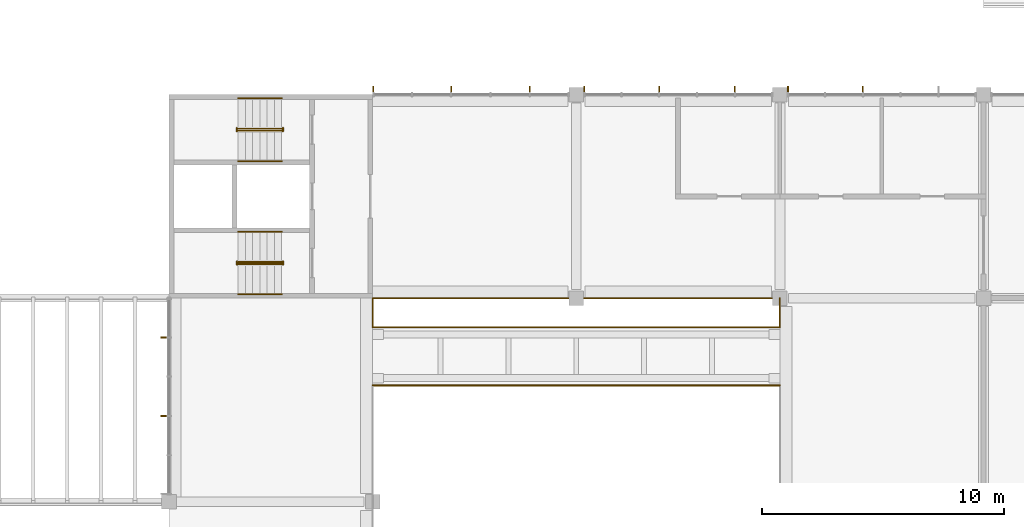
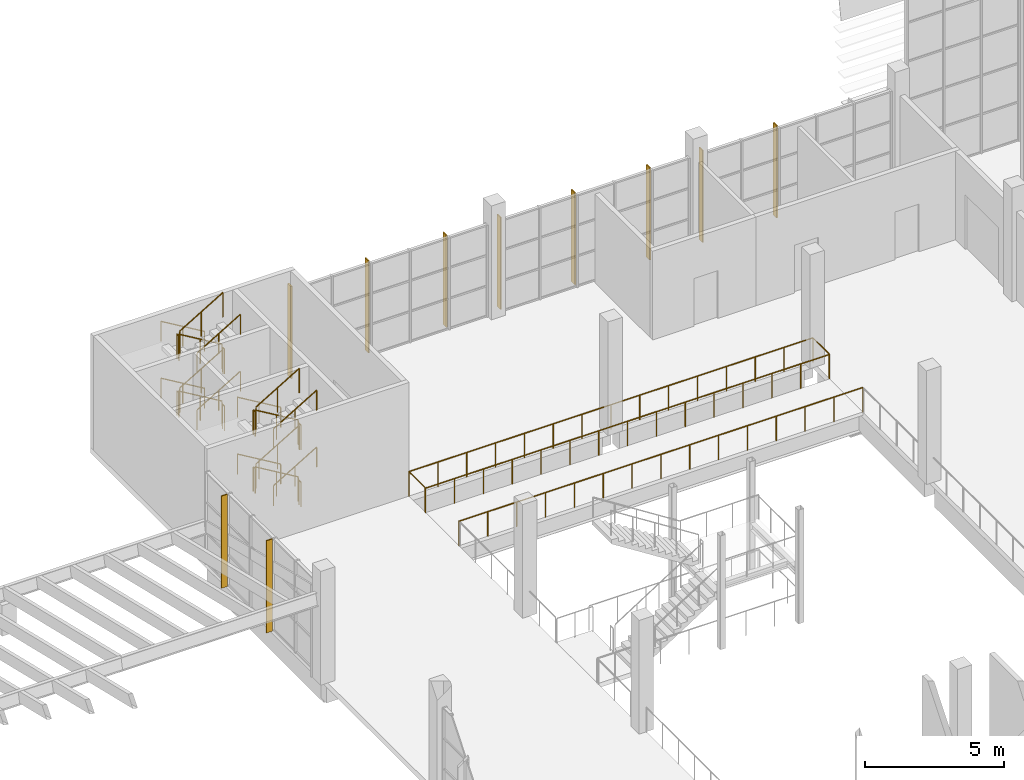
# One storey, part 55 of 59: 29 railings, 10 shading devices.
"""IFC4 building model written with IfcOpenShell, lengths in metres."""

from ifc_helpers import new_model, si_unit, direction, frame, origin, origin_2d, place, context, subcontext, project, spatial, rectangle, circle, extrude, material, material_profile, profile_set, type_object, element, save


model = new_model("IFC4")

# Units and contexts
model_context = context("Model", 3, precision=1e-05, world=origin(), true_north=direction((0.0, 1.0)))
body_context = subcontext(model_context, "Body", "Model", "MODEL_VIEW")
ifc_project = project(units=[si_unit("LENGTHUNIT", "METRE"), si_unit("AREAUNIT", "SQUARE_METRE"), si_unit("VOLUMEUNIT", "CUBIC_METRE"), si_unit("PLANEANGLEUNIT", "RADIAN"), si_unit("MASSUNIT", "GRAM", prefix="KILO")], contexts=[model_context])

# Site, building, storey
site_placement = place(None, origin())
site = spatial("IfcSite", under=ifc_project, at=site_placement, CompositionType="ELEMENT")
building_placement = place(site_placement, origin())
building = spatial("IfcBuilding", under=site, at=building_placement, Name="Almond Square Museum", CompositionType="ELEMENT")
storey_placement = place(building_placement, frame((0.0, 0.0, 25.0)))
storey = spatial("IfcBuildingStorey", under=building, at=storey_placement, Name="L04", CompositionType="ELEMENT", Elevation=25.0)

# Railings
ifc_material_1 = material(Name="Laminated glass and stainless steel", Category="steel")
railing_type_1 = type_object("IfcRailingType", Name="Atrium bridge guard 1100", PredefinedType="GUARDRAIL", material=ifc_material_1)
railing_1_placement = place(storey_placement, frame((81.60009765625, 97.199951171875, 0.0)))
element("IfcRailing", 1, at=railing_1_placement, inside=storey, type_object=railing_type_1, Name="BR-L04-1 bridge guard south", PredefinedType="GUARDRAIL", context=body_context, shape_type="SweptSolid", body=[
    extrude(circle(Radius=0.02392578125, at=origin_2d()), frame((0.0, 0.0, 1.076171875), z_axis=(1.0, 0.0, 0.0), x_axis=(0.0, 1.0, 0.0)), (0.0, 0.0, 1.0), 16.7998046875),
    extrude(circle(Radius=0.02099609375, at=origin_2d()), origin(), (0.0, 0.0, 1.0), 1.052001953125),
    extrude(circle(Radius=0.02099609375, at=origin_2d()), frame((1.199951171875, 0.0, 0.0)), (0.0, 0.0, 1.0), 1.052001953125),
    extrude(circle(Radius=0.02099609375, at=origin_2d()), frame((2.39990234375, 0.0, 0.0)), (0.0, 0.0, 1.0), 1.052001953125),
    extrude(circle(Radius=0.02099609375, at=origin_2d()), frame((3.599853515625, 0.0, 0.0)), (0.0, 0.0, 1.0), 1.052001953125),
    extrude(circle(Radius=0.02099609375, at=origin_2d()), frame((4.800048828125, 0.0, 0.0)), (0.0, 0.0, 1.0), 1.052001953125),
    extrude(circle(Radius=0.02099609375, at=origin_2d()), frame((6.0, 0.0, 0.0)), (0.0, 0.0, 1.0), 1.052001953125),
    extrude(circle(Radius=0.02099609375, at=origin_2d()), frame((7.199951171875, 0.0, 0.0)), (0.0, 0.0, 1.0), 1.052001953125),
    extrude(circle(Radius=0.02099609375, at=origin_2d()), frame((8.39990234375, 0.0, 0.0)), (0.0, 0.0, 1.0), 1.052001953125),
    extrude(circle(Radius=0.02099609375, at=origin_2d()), frame((9.599853515625, 0.0, 0.0)), (0.0, 0.0, 1.0), 1.052001953125),
    extrude(circle(Radius=0.02099609375, at=origin_2d()), frame((10.7998046875, 0.0, 0.0)), (0.0, 0.0, 1.0), 1.052001953125),
    extrude(circle(Radius=0.02099609375, at=origin_2d()), frame((11.999755859375, 0.0, 0.0)), (0.0, 0.0, 1.0), 1.052001953125),
    extrude(circle(Radius=0.02099609375, at=origin_2d()), frame((13.199951171875, 0.0, 0.0)), (0.0, 0.0, 1.0), 1.052001953125),
    extrude(circle(Radius=0.02099609375, at=origin_2d()), frame((14.39990234375, 0.0, 0.0)), (0.0, 0.0, 1.0), 1.052001953125),
    extrude(circle(Radius=0.02099609375, at=origin_2d()), frame((15.599853515625, 0.0, 0.0)), (0.0, 0.0, 1.0), 1.052001953125),
    extrude(circle(Radius=0.02099609375, at=origin_2d()), frame((16.7998046875, 0.0, 0.0)), (0.0, 0.0, 1.0), 1.052001953125),
])
railing_2_placement = place(storey_placement, frame((81.60009765625, 99.60009765625, 0.0)))
element("IfcRailing", 2, at=railing_2_placement, inside=storey, type_object=railing_type_1, Name="BR-L04-1 bridge guard north", PredefinedType="GUARDRAIL", context=body_context, shape_type="SweptSolid", body=[
    extrude(circle(Radius=0.02392578125, at=origin_2d()), frame((0.0, 0.0, 1.076171875), z_axis=(1.0, 0.0, 0.0), x_axis=(0.0, 1.0, 0.0)), (0.0, 0.0, 1.0), 16.7998046875),
    extrude(circle(Radius=0.02099609375, at=origin_2d()), origin(), (0.0, 0.0, 1.0), 1.052001953125),
    extrude(circle(Radius=0.02099609375, at=origin_2d()), frame((1.199951171875, 0.0, 0.0)), (0.0, 0.0, 1.0), 1.052001953125),
    extrude(circle(Radius=0.02099609375, at=origin_2d()), frame((2.39990234375, 0.0, 0.0)), (0.0, 0.0, 1.0), 1.052001953125),
    extrude(circle(Radius=0.02099609375, at=origin_2d()), frame((3.599853515625, 0.0, 0.0)), (0.0, 0.0, 1.0), 1.052001953125),
    extrude(circle(Radius=0.02099609375, at=origin_2d()), frame((4.800048828125, 0.0, 0.0)), (0.0, 0.0, 1.0), 1.052001953125),
    extrude(circle(Radius=0.02099609375, at=origin_2d()), frame((6.0, 0.0, 0.0)), (0.0, 0.0, 1.0), 1.052001953125),
    extrude(circle(Radius=0.02099609375, at=origin_2d()), frame((7.199951171875, 0.0, 0.0)), (0.0, 0.0, 1.0), 1.052001953125),
    extrude(circle(Radius=0.02099609375, at=origin_2d()), frame((8.39990234375, 0.0, 0.0)), (0.0, 0.0, 1.0), 1.052001953125),
    extrude(circle(Radius=0.02099609375, at=origin_2d()), frame((9.599853515625, 0.0, 0.0)), (0.0, 0.0, 1.0), 1.052001953125),
    extrude(circle(Radius=0.02099609375, at=origin_2d()), frame((10.7998046875, 0.0, 0.0)), (0.0, 0.0, 1.0), 1.052001953125),
    extrude(circle(Radius=0.02099609375, at=origin_2d()), frame((11.999755859375, 0.0, 0.0)), (0.0, 0.0, 1.0), 1.052001953125),
    extrude(circle(Radius=0.02099609375, at=origin_2d()), frame((13.199951171875, 0.0, 0.0)), (0.0, 0.0, 1.0), 1.052001953125),
    extrude(circle(Radius=0.02099609375, at=origin_2d()), frame((14.39990234375, 0.0, 0.0)), (0.0, 0.0, 1.0), 1.052001953125),
    extrude(circle(Radius=0.02099609375, at=origin_2d()), frame((15.599853515625, 0.0, 0.0)), (0.0, 0.0, 1.0), 1.052001953125),
    extrude(circle(Radius=0.02099609375, at=origin_2d()), frame((16.7998046875, 0.0, 0.0)), (0.0, 0.0, 1.0), 1.052001953125),
])
ifc_material_2 = material(Name="Laminated glass and stainless steel", Category="steel")
railing_type_2 = type_object("IfcRailingType", Name="Atrium guard 1100 glass balustrade", PredefinedType="GUARDRAIL", material=ifc_material_2)
for number, where, name in (
    (3, (81.60009765625, 99.64990234375, 0.0), "L04 atrium guard 3"),
    (4, (98.39990234375, 99.64990234375, 0.0), "L04 atrium guard 5"),
):
    element("IfcRailing", number, at=place(storey_placement, frame(where)), inside=storey, type_object=railing_type_2, Name=name, PredefinedType="GUARDRAIL", context=body_context, shape_type="SweptSolid", body=[
        extrude(circle(Radius=0.02392578125, at=origin_2d()), frame((0.0, 0.0, 1.076171875), z_axis=(0.0, 1.0, 0.0), x_axis=(-1.0, 0.0, 0.0)), (0.0, 0.0, 1.0), 1.150146484375),
        extrude(circle(Radius=0.02099609375, at=origin_2d()), origin(), (0.0, 0.0, 1.0), 1.052001953125),
        extrude(circle(Radius=0.02099609375, at=origin_2d()), frame((0.0, 1.150146484375, 0.0)), (0.0, 0.0, 1.0), 1.052001953125),
    ])
railing_3_placement = place(storey_placement, frame((81.60009765625, 100.800048828125, 0.0)))
element("IfcRailing", 5, at=railing_3_placement, inside=storey, type_object=railing_type_2, Name="L04 atrium guard 8", PredefinedType="GUARDRAIL", context=body_context, shape_type="SweptSolid", body=[
    extrude(circle(Radius=0.02392578125, at=origin_2d()), frame((0.0, 0.0, 1.076171875), z_axis=(1.0, 0.0, 0.0), x_axis=(0.0, 1.0, 0.0)), (0.0, 0.0, 1.0), 16.7998046875),
    extrude(circle(Radius=0.02099609375, at=origin_2d()), origin(), (0.0, 0.0, 1.0), 1.052001953125),
    extrude(circle(Radius=0.02099609375, at=origin_2d()), frame((1.199951171875, 0.0, 0.0)), (0.0, 0.0, 1.0), 1.052001953125),
    extrude(circle(Radius=0.02099609375, at=origin_2d()), frame((2.39990234375, 0.0, 0.0)), (0.0, 0.0, 1.0), 1.052001953125),
    extrude(circle(Radius=0.02099609375, at=origin_2d()), frame((3.599853515625, 0.0, 0.0)), (0.0, 0.0, 1.0), 1.052001953125),
    extrude(circle(Radius=0.02099609375, at=origin_2d()), frame((4.800048828125, 0.0, 0.0)), (0.0, 0.0, 1.0), 1.052001953125),
    extrude(circle(Radius=0.02099609375, at=origin_2d()), frame((6.0, 0.0, 0.0)), (0.0, 0.0, 1.0), 1.052001953125),
    extrude(circle(Radius=0.02099609375, at=origin_2d()), frame((7.199951171875, 0.0, 0.0)), (0.0, 0.0, 1.0), 1.052001953125),
    extrude(circle(Radius=0.02099609375, at=origin_2d()), frame((8.39990234375, 0.0, 0.0)), (0.0, 0.0, 1.0), 1.052001953125),
    extrude(circle(Radius=0.02099609375, at=origin_2d()), frame((9.599853515625, 0.0, 0.0)), (0.0, 0.0, 1.0), 1.052001953125),
    extrude(circle(Radius=0.02099609375, at=origin_2d()), frame((10.7998046875, 0.0, 0.0)), (0.0, 0.0, 1.0), 1.052001953125),
    extrude(circle(Radius=0.02099609375, at=origin_2d()), frame((11.999755859375, 0.0, 0.0)), (0.0, 0.0, 1.0), 1.052001953125),
    extrude(circle(Radius=0.02099609375, at=origin_2d()), frame((13.199951171875, 0.0, 0.0)), (0.0, 0.0, 1.0), 1.052001953125),
    extrude(circle(Radius=0.02099609375, at=origin_2d()), frame((14.39990234375, 0.0, 0.0)), (0.0, 0.0, 1.0), 1.052001953125),
    extrude(circle(Radius=0.02099609375, at=origin_2d()), frame((15.599853515625, 0.0, 0.0)), (0.0, 0.0, 1.0), 1.052001953125),
    extrude(circle(Radius=0.02099609375, at=origin_2d()), frame((16.7998046875, 0.0, 0.0)), (0.0, 0.0, 1.0), 1.052001953125),
])
ifc_material_3 = material(Name="Stainless steel and laminated glass", Category="steel")
railing_type_3 = type_object("IfcRailingType", Name="Stair guard 1100 steel and glass", PredefinedType="GUARDRAIL", material=ifc_material_3)
railing_4_placement = place(storey_placement, frame((77.85009765625, 102.2900390625, 0.178466796875)))
element("IfcRailing", 6, at=railing_4_placement, inside=storey, type_object=railing_type_3, Name="L04 ST-09 stair guard 1", PredefinedType="GUARDRAIL", context=body_context, shape_type="SweptSolid", body=[
    extrude(circle(Radius=0.02392578125, at=origin_2d()), frame((0.0, 0.0, 1.076171875), z_axis=(-0.859277029364, 0.0, 0.511510495305), x_axis=(0.0, -1.0, 0.0)), (0.0, 0.0, 1.0), 2.0947265625),
    extrude(circle(Radius=0.02099609375, at=origin_2d()), origin(), (0.0, 0.0, 1.0), 1.052001953125),
    extrude(circle(Radius=0.02099609375, at=origin_2d()), frame((-0.89990234375, 0.0, 0.53564453125)), (0.0, 0.0, 1.0), 1.052001953125),
    extrude(circle(Radius=0.02099609375, at=origin_2d()), frame((-1.800048828125, 0.0, 1.071533203125)), (0.0, 0.0, 1.0), 1.052001953125),
])
railing_5_placement = place(storey_placement, frame((76.0, 102.320068359375, 1.25)))
element("IfcRailing", 7, at=railing_5_placement, inside=storey, type_object=railing_type_3, Name="L04 ST-09 stair guard 2", PredefinedType="GUARDRAIL", context=body_context, shape_type="SweptSolid", body=[
    extrude(circle(Radius=0.02392578125, at=origin_2d()), frame((0.0, 0.0, 1.076171875), z_axis=(0.0, -1.0, 0.0), x_axis=(1.0, 0.0, 0.0)), (0.0, 0.0, 1.0), 0.14013671875),
    extrude(circle(Radius=0.02099609375, at=origin_2d()), origin(), (0.0, 0.0, 1.0), 1.052001953125),
    extrude(circle(Radius=0.02099609375, at=origin_2d()), frame((0.0, -0.14013671875, 0.0)), (0.0, 0.0, 1.0), 1.052001953125),
])
railing_6_placement = place(storey_placement, frame((76.050048828125, 102.2099609375, 1.428466796875)))
element("IfcRailing", 8, at=railing_6_placement, inside=storey, type_object=railing_type_3, Name="L04 ST-09 stair guard 3", PredefinedType="GUARDRAIL", context=body_context, shape_type="SweptSolid", body=[
    extrude(circle(Radius=0.02392578125, at=origin_2d()), frame((0.0, 0.0, 1.076171875), z_axis=(0.859277029364, 0.0, 0.511510495305), x_axis=(0.0, 1.0, 0.0)), (0.0, 0.0, 1.0), 2.0947265625),
    extrude(circle(Radius=0.02099609375, at=origin_2d()), origin(), (0.0, 0.0, 1.0), 1.052001953125),
    extrude(circle(Radius=0.02099609375, at=origin_2d()), frame((0.89990234375, 0.0, 0.53564453125)), (0.0, 0.0, 1.0), 1.052001953125),
    extrude(circle(Radius=0.02099609375, at=origin_2d()), frame((1.800048828125, 0.0, 1.071533203125)), (0.0, 0.0, 1.0), 1.052001953125),
])
railing_7_placement = place(storey_placement, frame((77.89990234375, 102.320068359375, 2.5)))
element("IfcRailing", 9, at=railing_7_placement, inside=storey, type_object=railing_type_3, Name="L04 ST-09 stair guard 4", PredefinedType="GUARDRAIL", context=body_context, shape_type="SweptSolid", body=[
    extrude(circle(Radius=0.02392578125, at=origin_2d()), frame((0.0, 0.0, 1.076171875), z_axis=(0.0, -1.0, 0.0), x_axis=(1.0, 0.0, 0.0)), (0.0, 0.0, 1.0), 0.14013671875),
    extrude(circle(Radius=0.02099609375, at=origin_2d()), origin(), (0.0, 0.0, 1.0), 1.052001953125),
    extrude(circle(Radius=0.02099609375, at=origin_2d()), frame((0.0, -0.14013671875, 0.0)), (0.0, 0.0, 1.0), 1.052001953125),
])
railing_8_placement = place(storey_placement, frame((77.85009765625, 102.2900390625, 2.678466796875)))
element("IfcRailing", 10, at=railing_8_placement, inside=storey, type_object=railing_type_3, Name="L04 ST-09 stair guard 5", PredefinedType="GUARDRAIL", context=body_context, shape_type="SweptSolid", body=[
    extrude(circle(Radius=0.02392578125, at=origin_2d()), frame((0.0, 0.0, 1.076171875), z_axis=(-0.859277029364, 0.0, 0.511510495305), x_axis=(0.0, -1.0, 0.0)), (0.0, 0.0, 1.0), 2.0947265625),
    extrude(circle(Radius=0.02099609375, at=origin_2d()), origin(), (0.0, 0.0, 1.0), 1.052001953125),
    extrude(circle(Radius=0.02099609375, at=origin_2d()), frame((-0.89990234375, 0.0, 0.53564453125)), (0.0, 0.0, 1.0), 1.052001953125),
    extrude(circle(Radius=0.02099609375, at=origin_2d()), frame((-1.800048828125, 0.0, 1.071533203125)), (0.0, 0.0, 1.0), 1.052001953125),
])
railing_9_placement = place(storey_placement, frame((76.0, 102.320068359375, 3.75)))
element("IfcRailing", 11, at=railing_9_placement, inside=storey, type_object=railing_type_3, Name="L04 ST-09 stair guard 6", PredefinedType="GUARDRAIL", context=body_context, shape_type="SweptSolid", body=[
    extrude(circle(Radius=0.02392578125, at=origin_2d()), frame((0.0, 0.0, 1.076171875), z_axis=(0.0, -1.0, 0.0), x_axis=(1.0, 0.0, 0.0)), (0.0, 0.0, 1.0), 0.14013671875),
    extrude(circle(Radius=0.02099609375, at=origin_2d()), origin(), (0.0, 0.0, 1.0), 1.052001953125),
    extrude(circle(Radius=0.02099609375, at=origin_2d()), frame((0.0, -0.14013671875, 0.0)), (0.0, 0.0, 1.0), 1.052001953125),
])
railing_10_placement = place(storey_placement, frame((76.050048828125, 102.2099609375, 3.928466796875)))
element("IfcRailing", 12, at=railing_10_placement, inside=storey, type_object=railing_type_3, Name="L04 ST-09 stair guard 7", PredefinedType="GUARDRAIL", context=body_context, shape_type="SweptSolid", body=[
    extrude(circle(Radius=0.02392578125, at=origin_2d()), frame((0.0, 0.0, 1.076171875), z_axis=(0.859277029364, 0.0, 0.511510495305), x_axis=(0.0, 1.0, 0.0)), (0.0, 0.0, 1.0), 2.0947265625),
    extrude(circle(Radius=0.02099609375, at=origin_2d()), origin(), (0.0, 0.0, 1.0), 1.052001953125),
    extrude(circle(Radius=0.02099609375, at=origin_2d()), frame((0.89990234375, 0.0, 0.53564453125)), (0.0, 0.0, 1.0), 1.052001953125),
    extrude(circle(Radius=0.02099609375, at=origin_2d()), frame((1.800048828125, 0.0, 1.071533203125)), (0.0, 0.0, 1.0), 1.052001953125),
])
railing_11_placement = place(storey_placement, frame((77.89990234375, 102.320068359375, 0.0)))
element("IfcRailing", 13, at=railing_11_placement, inside=storey, type_object=railing_type_3, Name="L04 ST-09 stair guard 8", PredefinedType="GUARDRAIL", context=body_context, shape_type="SweptSolid", body=[
    extrude(circle(Radius=0.02392578125, at=origin_2d()), frame((0.0, 0.0, 1.076171875), z_axis=(0.0, -1.0, 0.0), x_axis=(1.0, 0.0, 0.0)), (0.0, 0.0, 1.0), 0.14013671875),
    extrude(circle(Radius=0.02099609375, at=origin_2d()), origin(), (0.0, 0.0, 1.0), 1.052001953125),
    extrude(circle(Radius=0.02099609375, at=origin_2d()), frame((0.0, -0.14013671875, 0.0)), (0.0, 0.0, 1.0), 1.052001953125),
])
railing_12_placement = place(storey_placement, frame((77.85009765625, 107.7900390625, 0.178466796875)))
element("IfcRailing", 14, at=railing_12_placement, inside=storey, type_object=railing_type_3, Name="L04 ST-10 stair guard 1", PredefinedType="GUARDRAIL", context=body_context, shape_type="SweptSolid", body=[
    extrude(circle(Radius=0.02392578125, at=origin_2d()), frame((0.0, 0.0, 1.076171875), z_axis=(-0.859277029364, 0.0, 0.511510495305), x_axis=(0.0, -1.0, 0.0)), (0.0, 0.0, 1.0), 2.0947265625),
    extrude(circle(Radius=0.02099609375, at=origin_2d()), origin(), (0.0, 0.0, 1.0), 1.052001953125),
    extrude(circle(Radius=0.02099609375, at=origin_2d()), frame((-0.89990234375, 0.0, 0.53564453125)), (0.0, 0.0, 1.0), 1.052001953125),
    extrude(circle(Radius=0.02099609375, at=origin_2d()), frame((-1.800048828125, 0.0, 1.071533203125)), (0.0, 0.0, 1.0), 1.052001953125),
])
railing_13_placement = place(storey_placement, frame((76.0, 107.820068359375, 1.25)))
element("IfcRailing", 15, at=railing_13_placement, inside=storey, type_object=railing_type_3, Name="L04 ST-10 stair guard 2", PredefinedType="GUARDRAIL", context=body_context, shape_type="SweptSolid", body=[
    extrude(circle(Radius=0.02392578125, at=origin_2d()), frame((0.0, 0.0, 1.076171875), z_axis=(0.0, -1.0, 0.0), x_axis=(1.0, 0.0, 0.0)), (0.0, 0.0, 1.0), 0.14013671875),
    extrude(circle(Radius=0.02099609375, at=origin_2d()), origin(), (0.0, 0.0, 1.0), 1.052001953125),
    extrude(circle(Radius=0.02099609375, at=origin_2d()), frame((0.0, -0.14013671875, 0.0)), (0.0, 0.0, 1.0), 1.052001953125),
])
railing_14_placement = place(storey_placement, frame((76.050048828125, 107.7099609375, 1.428466796875)))
element("IfcRailing", 16, at=railing_14_placement, inside=storey, type_object=railing_type_3, Name="L04 ST-10 stair guard 3", PredefinedType="GUARDRAIL", context=body_context, shape_type="SweptSolid", body=[
    extrude(circle(Radius=0.02392578125, at=origin_2d()), frame((0.0, 0.0, 1.076171875), z_axis=(0.859277029364, 0.0, 0.511510495305), x_axis=(0.0, 1.0, 0.0)), (0.0, 0.0, 1.0), 2.0947265625),
    extrude(circle(Radius=0.02099609375, at=origin_2d()), origin(), (0.0, 0.0, 1.0), 1.052001953125),
    extrude(circle(Radius=0.02099609375, at=origin_2d()), frame((0.89990234375, 0.0, 0.53564453125)), (0.0, 0.0, 1.0), 1.052001953125),
    extrude(circle(Radius=0.02099609375, at=origin_2d()), frame((1.800048828125, 0.0, 1.071533203125)), (0.0, 0.0, 1.0), 1.052001953125),
])
railing_15_placement = place(storey_placement, frame((77.89990234375, 107.820068359375, 2.5)))
element("IfcRailing", 17, at=railing_15_placement, inside=storey, type_object=railing_type_3, Name="L04 ST-10 stair guard 4", PredefinedType="GUARDRAIL", context=body_context, shape_type="SweptSolid", body=[
    extrude(circle(Radius=0.02392578125, at=origin_2d()), frame((0.0, 0.0, 1.076171875), z_axis=(0.0, -1.0, 0.0), x_axis=(1.0, 0.0, 0.0)), (0.0, 0.0, 1.0), 0.14013671875),
    extrude(circle(Radius=0.02099609375, at=origin_2d()), origin(), (0.0, 0.0, 1.0), 1.052001953125),
    extrude(circle(Radius=0.02099609375, at=origin_2d()), frame((0.0, -0.14013671875, 0.0)), (0.0, 0.0, 1.0), 1.052001953125),
])
railing_16_placement = place(storey_placement, frame((77.85009765625, 107.7900390625, 2.678466796875)))
element("IfcRailing", 18, at=railing_16_placement, inside=storey, type_object=railing_type_3, Name="L04 ST-10 stair guard 5", PredefinedType="GUARDRAIL", context=body_context, shape_type="SweptSolid", body=[
    extrude(circle(Radius=0.02392578125, at=origin_2d()), frame((0.0, 0.0, 1.076171875), z_axis=(-0.859277029364, 0.0, 0.511510495305), x_axis=(0.0, -1.0, 0.0)), (0.0, 0.0, 1.0), 2.0947265625),
    extrude(circle(Radius=0.02099609375, at=origin_2d()), origin(), (0.0, 0.0, 1.0), 1.052001953125),
    extrude(circle(Radius=0.02099609375, at=origin_2d()), frame((-0.89990234375, 0.0, 0.53564453125)), (0.0, 0.0, 1.0), 1.052001953125),
    extrude(circle(Radius=0.02099609375, at=origin_2d()), frame((-1.800048828125, 0.0, 1.071533203125)), (0.0, 0.0, 1.0), 1.052001953125),
])
railing_17_placement = place(storey_placement, frame((76.0, 107.820068359375, 3.75)))
element("IfcRailing", 19, at=railing_17_placement, inside=storey, type_object=railing_type_3, Name="L04 ST-10 stair guard 6", PredefinedType="GUARDRAIL", context=body_context, shape_type="SweptSolid", body=[
    extrude(circle(Radius=0.02392578125, at=origin_2d()), frame((0.0, 0.0, 1.076171875), z_axis=(0.0, -1.0, 0.0), x_axis=(1.0, 0.0, 0.0)), (0.0, 0.0, 1.0), 0.14013671875),
    extrude(circle(Radius=0.02099609375, at=origin_2d()), origin(), (0.0, 0.0, 1.0), 1.052001953125),
    extrude(circle(Radius=0.02099609375, at=origin_2d()), frame((0.0, -0.14013671875, 0.0)), (0.0, 0.0, 1.0), 1.052001953125),
])
railing_18_placement = place(storey_placement, frame((76.050048828125, 107.7099609375, 3.928466796875)))
element("IfcRailing", 20, at=railing_18_placement, inside=storey, type_object=railing_type_3, Name="L04 ST-10 stair guard 7", PredefinedType="GUARDRAIL", context=body_context, shape_type="SweptSolid", body=[
    extrude(circle(Radius=0.02392578125, at=origin_2d()), frame((0.0, 0.0, 1.076171875), z_axis=(0.859277029364, 0.0, 0.511510495305), x_axis=(0.0, 1.0, 0.0)), (0.0, 0.0, 1.0), 2.0947265625),
    extrude(circle(Radius=0.02099609375, at=origin_2d()), origin(), (0.0, 0.0, 1.0), 1.052001953125),
    extrude(circle(Radius=0.02099609375, at=origin_2d()), frame((0.89990234375, 0.0, 0.53564453125)), (0.0, 0.0, 1.0), 1.052001953125),
    extrude(circle(Radius=0.02099609375, at=origin_2d()), frame((1.800048828125, 0.0, 1.071533203125)), (0.0, 0.0, 1.0), 1.052001953125),
])
railing_19_placement = place(storey_placement, frame((77.89990234375, 107.820068359375, 0.0)))
element("IfcRailing", 21, at=railing_19_placement, inside=storey, type_object=railing_type_3, Name="L04 ST-10 stair guard 8", PredefinedType="GUARDRAIL", context=body_context, shape_type="SweptSolid", body=[
    extrude(circle(Radius=0.02392578125, at=origin_2d()), frame((0.0, 0.0, 1.076171875), z_axis=(0.0, -1.0, 0.0), x_axis=(1.0, 0.0, 0.0)), (0.0, 0.0, 1.0), 0.14013671875),
    extrude(circle(Radius=0.02099609375, at=origin_2d()), origin(), (0.0, 0.0, 1.0), 1.052001953125),
    extrude(circle(Radius=0.02099609375, at=origin_2d()), frame((0.0, -0.14013671875, 0.0)), (0.0, 0.0, 1.0), 1.052001953125),
])
ifc_material_4 = material(Name="Stainless steel", Category="steel")
railing_type_4 = type_object("IfcRailingType", Name="Stair handrail 900 steel", PredefinedType="HANDRAIL", material=ifc_material_4)
railing_20_placement = place(storey_placement, frame((77.85009765625, 103.544921875, 0.178466796875)))
element("IfcRailing", 22, at=railing_20_placement, inside=storey, type_object=railing_type_4, Name="L04 ST-09 stair handrail 1", PredefinedType="HANDRAIL", context=body_context, shape_type="SweptSolid", body=[
    extrude(circle(Radius=0.02392578125, at=origin_2d()), frame((0.0, 0.0, 0.8759765625), z_axis=(-0.859277029364, 0.0, 0.511510495305), x_axis=(0.0, -1.0, 0.0)), (0.0, 0.0, 1.0), 2.0947265625),
    extrude(circle(Radius=0.02099609375, at=origin_2d()), origin(), (0.0, 0.0, 1.0), 0.851806640625),
    extrude(circle(Radius=0.02099609375, at=origin_2d()), frame((-0.89990234375, 0.0, 0.53564453125)), (0.0, 0.0, 1.0), 0.851806640625),
    extrude(circle(Radius=0.02099609375, at=origin_2d()), frame((-1.800048828125, 0.0, 1.071533203125)), (0.0, 0.0, 1.0), 0.851806640625),
])
railing_21_placement = place(storey_placement, frame((76.050048828125, 100.955078125, 1.428466796875)))
element("IfcRailing", 23, at=railing_21_placement, inside=storey, type_object=railing_type_4, Name="L04 ST-09 stair handrail 2", PredefinedType="HANDRAIL", context=body_context, shape_type="SweptSolid", body=[
    extrude(circle(Radius=0.02392578125, at=origin_2d()), frame((0.0, 0.0, 0.8759765625), z_axis=(0.859277029364, 0.0, 0.511510495305), x_axis=(0.0, 1.0, 0.0)), (0.0, 0.0, 1.0), 2.0947265625),
    extrude(circle(Radius=0.02099609375, at=origin_2d()), origin(), (0.0, 0.0, 1.0), 0.851806640625),
    extrude(circle(Radius=0.02099609375, at=origin_2d()), frame((0.89990234375, 0.0, 0.53564453125)), (0.0, 0.0, 1.0), 0.851806640625),
    extrude(circle(Radius=0.02099609375, at=origin_2d()), frame((1.800048828125, 0.0, 1.071533203125)), (0.0, 0.0, 1.0), 0.851806640625),
])
railing_22_placement = place(storey_placement, frame((77.85009765625, 103.544921875, 2.678466796875)))
element("IfcRailing", 24, at=railing_22_placement, inside=storey, type_object=railing_type_4, Name="L04 ST-09 stair handrail 3", PredefinedType="HANDRAIL", context=body_context, shape_type="SweptSolid", body=[
    extrude(circle(Radius=0.02392578125, at=origin_2d()), frame((0.0, 0.0, 0.8759765625), z_axis=(-0.859277029364, 0.0, 0.511510495305), x_axis=(0.0, -1.0, 0.0)), (0.0, 0.0, 1.0), 2.0947265625),
    extrude(circle(Radius=0.02099609375, at=origin_2d()), origin(), (0.0, 0.0, 1.0), 0.851806640625),
    extrude(circle(Radius=0.02099609375, at=origin_2d()), frame((-0.89990234375, 0.0, 0.53564453125)), (0.0, 0.0, 1.0), 0.851806640625),
    extrude(circle(Radius=0.02099609375, at=origin_2d()), frame((-1.800048828125, 0.0, 1.071533203125)), (0.0, 0.0, 1.0), 0.851806640625),
])
railing_23_placement = place(storey_placement, frame((76.050048828125, 100.955078125, 3.928466796875)))
element("IfcRailing", 25, at=railing_23_placement, inside=storey, type_object=railing_type_4, Name="L04 ST-09 stair handrail 4", PredefinedType="HANDRAIL", context=body_context, shape_type="SweptSolid", body=[
    extrude(circle(Radius=0.02392578125, at=origin_2d()), frame((0.0, 0.0, 0.8759765625), z_axis=(0.859277029364, 0.0, 0.511510495305), x_axis=(0.0, 1.0, 0.0)), (0.0, 0.0, 1.0), 2.0947265625),
    extrude(circle(Radius=0.02099609375, at=origin_2d()), origin(), (0.0, 0.0, 1.0), 0.851806640625),
    extrude(circle(Radius=0.02099609375, at=origin_2d()), frame((0.89990234375, 0.0, 0.53564453125)), (0.0, 0.0, 1.0), 0.851806640625),
    extrude(circle(Radius=0.02099609375, at=origin_2d()), frame((1.800048828125, 0.0, 1.071533203125)), (0.0, 0.0, 1.0), 0.851806640625),
])
railing_24_placement = place(storey_placement, frame((77.85009765625, 109.044921875, 0.178466796875)))
element("IfcRailing", 26, at=railing_24_placement, inside=storey, type_object=railing_type_4, Name="L04 ST-10 stair handrail 1", PredefinedType="HANDRAIL", context=body_context, shape_type="SweptSolid", body=[
    extrude(circle(Radius=0.02392578125, at=origin_2d()), frame((0.0, 0.0, 0.8759765625), z_axis=(-0.859277029364, 0.0, 0.511510495305), x_axis=(0.0, -1.0, 0.0)), (0.0, 0.0, 1.0), 2.0947265625),
    extrude(circle(Radius=0.02099609375, at=origin_2d()), origin(), (0.0, 0.0, 1.0), 0.851806640625),
    extrude(circle(Radius=0.02099609375, at=origin_2d()), frame((-0.89990234375, 0.0, 0.53564453125)), (0.0, 0.0, 1.0), 0.851806640625),
    extrude(circle(Radius=0.02099609375, at=origin_2d()), frame((-1.800048828125, 0.0, 1.071533203125)), (0.0, 0.0, 1.0), 0.851806640625),
])
railing_25_placement = place(storey_placement, frame((76.050048828125, 106.455078125, 1.428466796875)))
element("IfcRailing", 27, at=railing_25_placement, inside=storey, type_object=railing_type_4, Name="L04 ST-10 stair handrail 2", PredefinedType="HANDRAIL", context=body_context, shape_type="SweptSolid", body=[
    extrude(circle(Radius=0.02392578125, at=origin_2d()), frame((0.0, 0.0, 0.8759765625), z_axis=(0.859277029364, 0.0, 0.511510495305), x_axis=(0.0, 1.0, 0.0)), (0.0, 0.0, 1.0), 2.0947265625),
    extrude(circle(Radius=0.02099609375, at=origin_2d()), origin(), (0.0, 0.0, 1.0), 0.851806640625),
    extrude(circle(Radius=0.02099609375, at=origin_2d()), frame((0.89990234375, 0.0, 0.53564453125)), (0.0, 0.0, 1.0), 0.851806640625),
    extrude(circle(Radius=0.02099609375, at=origin_2d()), frame((1.800048828125, 0.0, 1.071533203125)), (0.0, 0.0, 1.0), 0.851806640625),
])
railing_26_placement = place(storey_placement, frame((77.85009765625, 109.044921875, 2.678466796875)))
element("IfcRailing", 28, at=railing_26_placement, inside=storey, type_object=railing_type_4, Name="L04 ST-10 stair handrail 3", PredefinedType="HANDRAIL", context=body_context, shape_type="SweptSolid", body=[
    extrude(circle(Radius=0.02392578125, at=origin_2d()), frame((0.0, 0.0, 0.8759765625), z_axis=(-0.859277029364, 0.0, 0.511510495305), x_axis=(0.0, -1.0, 0.0)), (0.0, 0.0, 1.0), 2.0947265625),
    extrude(circle(Radius=0.02099609375, at=origin_2d()), origin(), (0.0, 0.0, 1.0), 0.851806640625),
    extrude(circle(Radius=0.02099609375, at=origin_2d()), frame((-0.89990234375, 0.0, 0.53564453125)), (0.0, 0.0, 1.0), 0.851806640625),
    extrude(circle(Radius=0.02099609375, at=origin_2d()), frame((-1.800048828125, 0.0, 1.071533203125)), (0.0, 0.0, 1.0), 0.851806640625),
])
railing_27_placement = place(storey_placement, frame((76.050048828125, 106.455078125, 3.928466796875)))
element("IfcRailing", 29, at=railing_27_placement, inside=storey, type_object=railing_type_4, Name="L04 ST-10 stair handrail 4", PredefinedType="HANDRAIL", context=body_context, shape_type="SweptSolid", body=[
    extrude(circle(Radius=0.02392578125, at=origin_2d()), frame((0.0, 0.0, 0.8759765625), z_axis=(0.859277029364, 0.0, 0.511510495305), x_axis=(0.0, 1.0, 0.0)), (0.0, 0.0, 1.0), 2.0947265625),
    extrude(circle(Radius=0.02099609375, at=origin_2d()), origin(), (0.0, 0.0, 1.0), 0.851806640625),
    extrude(circle(Radius=0.02099609375, at=origin_2d()), frame((0.89990234375, 0.0, 0.53564453125)), (0.0, 0.0, 1.0), 0.851806640625),
    extrude(circle(Radius=0.02099609375, at=origin_2d()), frame((1.800048828125, 0.0, 1.071533203125)), (0.0, 0.0, 1.0), 0.851806640625),
])

# Shading devices
ifc_material_5 = material(Name="Cedar timber fin", Category="wood")
ifc_material_profile = material_profile(ifc_material_5, rectangle(XDim=0.25, YDim=0.050048828125, at=origin_2d()))
ifc_profile_set = profile_set([ifc_material_profile], Name="Cedar timber fin")
shading_device_type = type_object("IfcShadingDeviceType", Name="Timber fin 250 x 50", PredefinedType="USERDEFINED", material=ifc_profile_set)
for number, where, z_axis, x_axis, name in (
    (30, (98.72998046875, 109.423095703125, 0.0), (0.0, 0.0, 1.0), (0.0, 1.0, 0.0), "Timber fin"),
    (31, (101.820068359375, 109.423095703125, 0.0), (0.0, 0.0, 1.0), (0.0, 1.0, 0.0), "Timber fin"),
    (32, (90.330078125, 109.423095703125, 0.0), (0.0, 0.0, 1.0), (0.0, 1.0, 0.0), "Timber fin"),
    (33, (93.419921875, 109.423095703125, 0.0), (0.0, 0.0, 1.0), (0.0, 1.0, 0.0), "Timber fin"),
    (34, (96.5400390625, 109.423095703125, 0.0), (0.0, 0.0, 1.0), (0.0, 1.0, 0.0), "Timber fin"),
    (35, (81.6298828125, 109.423095703125, 0.0), (0.0, 0.0, 1.0), (0.0, 1.0, 0.0), "Timber fin"),
    (36, (84.840087890625, 109.423095703125, 0.0), (0.0, 0.0, 1.0), (0.0, 1.0, 0.0), "Timber fin"),
    (37, (88.080078125, 109.423095703125, 0.0), (0.0, 0.0, 1.0), (0.0, 1.0, 0.0), "Timber fin"),
    (38, (72.97705078125, 95.93994140625, 0.0), (0.0, 0.0, 1.0), (-1.0, 0.0, 0.0), "Timber fin"),
    (39, (72.97705078125, 99.179931640625, 0.0), (0.0, 0.0, 1.0), (-1.0, 0.0, 0.0), "Timber fin"),
):
    element("IfcShadingDevice", number, at=place(storey_placement, frame(where, z_axis=z_axis, x_axis=x_axis)), inside=storey, type_object=shading_device_type, Name=name, ObjectType="FIN", PredefinedType="USERDEFINED", context=body_context, shape_type="SweptSolid", body=[
        extrude(rectangle(XDim=0.25, YDim=0.050048828125, at=origin_2d()), origin(), (0.0, 0.0, 1.0), 4.050048828125),
    ])

save(model, "model.ifc")
